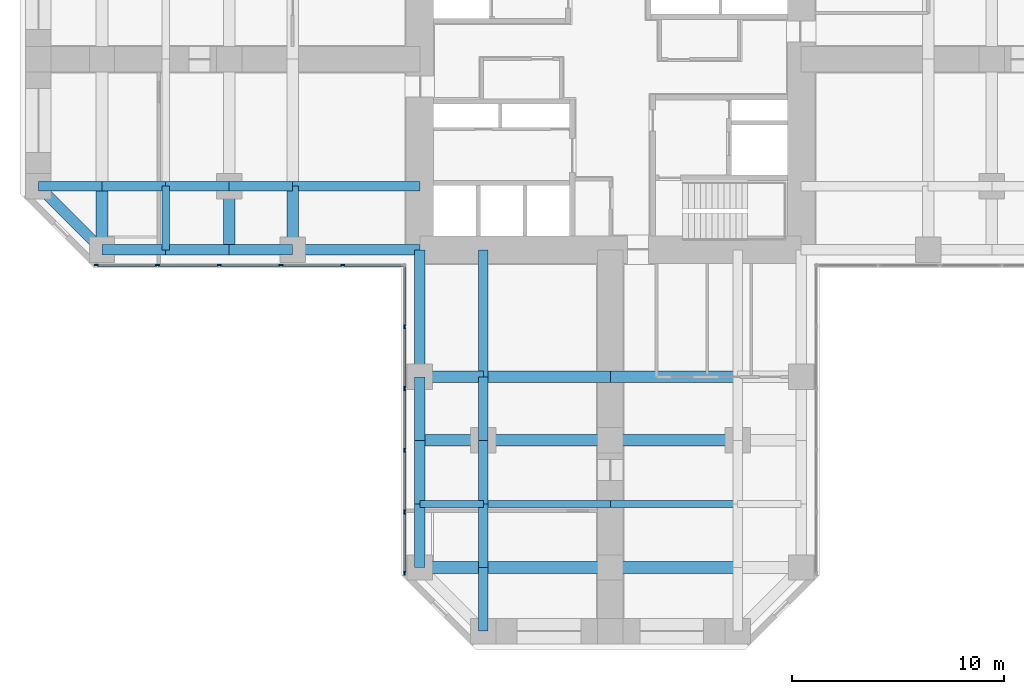
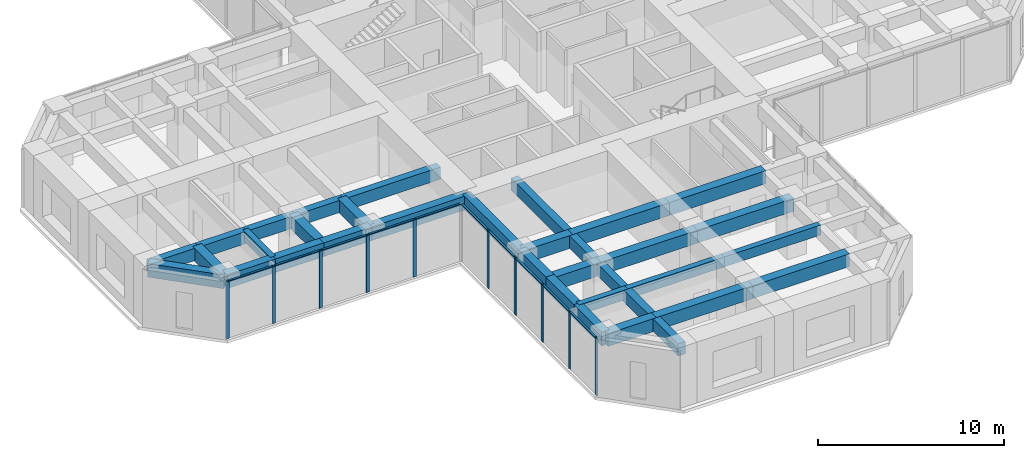
# One storey, part 2 of 12: 35 beams, 20 members, 2 elements without a shape of their own.
"""IFC4 building model written with IfcOpenShell, lengths in metres."""

from ifc_helpers import new_model, si_unit, direction, frame, origin, origin_2d, place, context, subcontext, project, spatial, rectangle, extrude, material, material_profile, profile_set, type_object, element, aggregate, save


model = new_model("IFC4")

# Units and contexts
model_context = context("Model", 3, precision=1e-05, world=origin(), true_north=direction((0.0, 1.0)))
body_context = subcontext(model_context, "Body", "Model", "MODEL_VIEW")
ifc_project = project(units=[si_unit("LENGTHUNIT", "METRE"), si_unit("AREAUNIT", "SQUARE_METRE"), si_unit("VOLUMEUNIT", "CUBIC_METRE"), si_unit("PLANEANGLEUNIT", "RADIAN"), si_unit("MASSUNIT", "GRAM", prefix="KILO")], contexts=[model_context])

# Site, building, storey
site_placement = place(None, origin())
site = spatial("IfcSite", under=ifc_project, at=site_placement, CompositionType="ELEMENT")
building_placement = place(site_placement, origin())
building = spatial("IfcBuilding", under=site, at=building_placement, Name="Torre Cruceta", CompositionType="ELEMENT")
storey_placement = place(building_placement, frame((0.0, 0.0, 59.5)))
storey = spatial("IfcBuildingStorey", under=building, at=storey_placement, Name="L14", CompositionType="ELEMENT", Elevation=59.5)

# Beams
ifc_material_1 = material(Name="Concrete G60 (fck 60 MPa)", Category="concrete")
ifc_material_profile_1 = material_profile(ifc_material_1, rectangle(XDim=0.449951171875, YDim=0.800048828125, at=origin_2d()), Name="RC 450X800")
ifc_profile_set_1 = profile_set([ifc_material_profile_1], Name="Concrete G60 (fck 60 MPa)")
beam_type_1 = type_object("IfcBeamType", Name="COLUMN LINE BEAM RC 450X800", PredefinedType="BEAM", material=ifc_profile_set_1)
beam_1_placement = place(storey_placement, frame((-6.0, -9.0, 3.39990234375), z_axis=(0.0, -1.0, 0.0), x_axis=(1.0, 0.0, 0.0)))
element("IfcBeam", 1, at=beam_1_placement, inside=storey, type_object=beam_type_1, Name="LB1 L14 S col- 1", PredefinedType="BEAM", context=body_context, shape_type="SweptSolid", body=[
    extrude(rectangle(XDim=0.449951171875, YDim=0.800048828125, at=origin_2d()), origin(), (0.0, 0.0, 1.0), 6.0),
])
for number, where, z_axis, x_axis, name in (
    (2, (-6.0, -15.0, 3.39990234375), (0.0, -1.0, 0.0), (1.0, 0.0, 0.0), "LB1 L14 S col- 2"),
    (3, (-6.0, -18.0, 3.39990234375), (0.0, -1.0, 0.0), (1.0, 0.0, 0.0), "LB1 L14 S col- 3"),
    (4, (-6.0, -21.0, 3.39990234375), (0.0, -1.0, 0.0), (1.0, 0.0, 0.0), "LB1 L14 S col- 4"),
    (5, (-6.0, -24.0, 3.39990234375), (0.0, -1.0, 0.0), (1.0, 0.0, 0.0), "LB1 L14 S col- 5"),
):
    element("IfcBeam", number, at=place(storey_placement, frame(where, z_axis=z_axis, x_axis=x_axis)), inside=storey, type_object=beam_type_1, Name=name, PredefinedType="BEAM", context=body_context, shape_type="SweptSolid", body=[
        extrude(rectangle(XDim=0.449951171875, YDim=0.800048828125, at=origin_2d()), origin(), (0.0, 0.0, 1.0), 3.0),
    ])
beam_2_placement = place(storey_placement, frame((-9.0, -6.0, 3.39990234375), z_axis=(-1.0, 0.0, 0.0), x_axis=(0.0, -1.0, 0.0)))
element("IfcBeam", 6, at=beam_2_placement, inside=storey, type_object=beam_type_1, Name="LB1 L14 W col+ 1", PredefinedType="BEAM", context=body_context, shape_type="SweptSolid", body=[
    extrude(rectangle(XDim=0.449951171875, YDim=0.800048828125, at=origin_2d()), origin(), (0.0, 0.0, 1.0), 6.0),
])
for number, where, z_axis, x_axis, name in (
    (7, (-15.0, -6.0, 3.39990234375), (-1.0, 0.0, 0.0), (0.0, -1.0, 0.0), "LB1 L14 W col+ 2"),
    (8, (-18.0, -6.0, 3.39990234375), (-1.0, 0.0, 0.0), (0.0, -1.0, 0.0), "LB1 L14 W col+ 3"),
    (9, (-21.0, -6.0, 3.39990234375), (-1.0, 0.0, 0.0), (0.0, -1.0, 0.0), "LB1 L14 W col+ 4"),
    (10, (-24.0, -6.0, 3.39990234375), (-1.0, 0.0, 0.0), (0.0, -1.0, 0.0), "LB1 L14 W col+ 5"),
):
    element("IfcBeam", number, at=place(storey_placement, frame(where, z_axis=z_axis, x_axis=x_axis)), inside=storey, type_object=beam_type_1, Name=name, PredefinedType="BEAM", context=body_context, shape_type="SweptSolid", body=[
        extrude(rectangle(XDim=0.449951171875, YDim=0.800048828125, at=origin_2d()), origin(), (0.0, 0.0, 1.0), 3.0),
    ])
ifc_material_2 = material(Name="Concrete G60 (fck 60 MPa)", Category="concrete")
ifc_material_profile_2 = material_profile(ifc_material_2, rectangle(XDim=0.550048828125, YDim=0.85009765625, at=origin_2d()), Name="RC 550X850")
ifc_profile_set_2 = profile_set([ifc_material_profile_2], Name="Concrete G60 (fck 60 MPa)")
beam_type_2 = type_object("IfcBeamType", Name="CROSS BEAM RC 550X850", PredefinedType="BEAM", material=ifc_profile_set_2)
beam_3_placement = place(storey_placement, frame((-9.0, -15.0, 3.375), z_axis=(1.0, 0.0, 0.0), x_axis=(0.0, 1.0, 0.0)))
element("IfcBeam", 11, at=beam_3_placement, inside=storey, type_object=beam_type_2, Name="GB4 L14 S cross15 1", PredefinedType="BEAM", context=body_context, shape_type="SweptSolid", body=[
    extrude(rectangle(XDim=0.550048828125, YDim=0.85009765625, at=origin_2d()), origin(), (0.0, 0.0, 1.0), 3.0),
])
for number, where, z_axis, x_axis, name in (
    (12, (-6.0, -15.0, 3.375), (1.0, 0.0, 0.0), (0.0, 1.0, 0.0), "GB4 L14 S cross15 2"),
    (13, (0.0, -15.0, 3.375), (1.0, 0.0, 0.0), (0.0, 1.0, 0.0), "GB4 L14 S cross15 3"),
):
    element("IfcBeam", number, at=place(storey_placement, frame(where, z_axis=z_axis, x_axis=x_axis)), inside=storey, type_object=beam_type_2, Name=name, PredefinedType="BEAM", context=body_context, shape_type="SweptSolid", body=[
        extrude(rectangle(XDim=0.550048828125, YDim=0.85009765625, at=origin_2d()), origin(), (0.0, 0.0, 1.0), 6.0),
    ])
beam_4_placement = place(storey_placement, frame((-9.0, -18.0, 3.375), z_axis=(1.0, 0.0, 0.0), x_axis=(0.0, 1.0, 0.0)))
element("IfcBeam", 14, at=beam_4_placement, inside=storey, type_object=beam_type_2, Name="GB4 L14 S cross18 1", PredefinedType="BEAM", context=body_context, shape_type="SweptSolid", body=[
    extrude(rectangle(XDim=0.550048828125, YDim=0.85009765625, at=origin_2d()), origin(), (0.0, 0.0, 1.0), 3.0),
])
for number, where, z_axis, x_axis, name in (
    (15, (-6.0, -18.0, 3.375), (1.0, 0.0, 0.0), (0.0, 1.0, 0.0), "GB4 L14 S cross18 2"),
    (16, (0.0, -18.0, 3.375), (1.0, 0.0, 0.0), (0.0, 1.0, 0.0), "GB4 L14 S cross18 3"),
):
    element("IfcBeam", number, at=place(storey_placement, frame(where, z_axis=z_axis, x_axis=x_axis)), inside=storey, type_object=beam_type_2, Name=name, PredefinedType="BEAM", context=body_context, shape_type="SweptSolid", body=[
        extrude(rectangle(XDim=0.550048828125, YDim=0.85009765625, at=origin_2d()), origin(), (0.0, 0.0, 1.0), 6.0),
    ])
beam_5_placement = place(storey_placement, frame((-9.0, -24.0, 3.375), z_axis=(1.0, 0.0, 0.0), x_axis=(0.0, 1.0, 0.0)))
element("IfcBeam", 17, at=beam_5_placement, inside=storey, type_object=beam_type_2, Name="GB4 L14 S cross24 1", PredefinedType="BEAM", context=body_context, shape_type="SweptSolid", body=[
    extrude(rectangle(XDim=0.550048828125, YDim=0.85009765625, at=origin_2d()), origin(), (0.0, 0.0, 1.0), 3.0),
])
for number, where, z_axis, x_axis, name in (
    (18, (-6.0, -24.0, 3.375), (1.0, 0.0, 0.0), (0.0, 1.0, 0.0), "GB4 L14 S cross24 2"),
    (19, (0.0, -24.0, 3.375), (1.0, 0.0, 0.0), (0.0, 1.0, 0.0), "GB4 L14 S cross24 3"),
):
    element("IfcBeam", number, at=place(storey_placement, frame(where, z_axis=z_axis, x_axis=x_axis)), inside=storey, type_object=beam_type_2, Name=name, PredefinedType="BEAM", context=body_context, shape_type="SweptSolid", body=[
        extrude(rectangle(XDim=0.550048828125, YDim=0.85009765625, at=origin_2d()), origin(), (0.0, 0.0, 1.0), 6.0),
    ])
for number, where, z_axis, x_axis, name in (
    (20, (-15.0, -6.0, 3.375), (0.0, -1.0, 0.0), (1.0, 0.0, 0.0), "GB4 L14 W cross15 4"),
    (21, (-18.0, -6.0, 3.375), (0.0, -1.0, 0.0), (1.0, 0.0, 0.0), "GB4 L14 W cross18 4"),
    (22, (-24.0, -6.0, 3.375), (0.0, -1.0, 0.0), (1.0, 0.0, 0.0), "GB4 L14 W cross24 4"),
):
    element("IfcBeam", number, at=place(storey_placement, frame(where, z_axis=z_axis, x_axis=x_axis)), inside=storey, type_object=beam_type_2, Name=name, PredefinedType="BEAM", context=body_context, shape_type="SweptSolid", body=[
        extrude(rectangle(XDim=0.550048828125, YDim=0.85009765625, at=origin_2d()), origin(), (0.0, 0.0, 1.0), 3.0),
    ])

# Curtain wall, members
ifc_material_3 = material(Name="Aluminium unitised curtain wall", Category="aluminium")
curtain_wall_type = type_object("IfcCurtainWallType", Name="CURTAIN WALL CW-A OFFICE LOW RISE", PredefinedType="USERDEFINED", material=ifc_material_3)
curtain_wall_1_placement = place(storey_placement, origin())
curtain_wall_1 = element("IfcCurtainWall", 23, at=curtain_wall_1_placement, inside=storey, type_object=curtain_wall_type, Name="CW-A L14 W side 14", ObjectType="UNITISED", PredefinedType="USERDEFINED")
ifc_material_4 = material(Name="Aluminium mullion", Category="aluminium")
ifc_material_profile_3 = material_profile(ifc_material_4, rectangle(XDim=0.06494140625, YDim=0.199951171875, at=origin_2d()), Name="AL 65X200")
ifc_profile_set_3 = profile_set([ifc_material_profile_3], Name="Aluminium mullion")
member_type_1 = type_object("IfcMemberType", Name="CW-A MULLION 65X200", PredefinedType="MULLION", material=ifc_profile_set_3)
member_1_placement = place(storey_placement, frame((-24.265625, -9.719970703125, 0.0), z_axis=(0.0, 0.0, 1.0), x_axis=(0.0, 1.0, 0.0)))
member_1 = element("IfcMember", 24, at=member_1_placement, type_object=member_type_1, Name="CW-A mullion 1", PredefinedType="MULLION", context=body_context, shape_type="SweptSolid", body=[
    extrude(rectangle(XDim=0.06494140625, YDim=0.199951171875, at=origin_2d()), origin(), (0.0, 0.0, 1.0), 3.800048828125),
])
member_2_placement = place(storey_placement, frame((-21.382568359375, -9.719970703125, 0.0), z_axis=(0.0, 0.0, 1.0), x_axis=(0.0, 1.0, 0.0)))
member_2 = element("IfcMember", 25, at=member_2_placement, type_object=member_type_1, Name="CW-A mullion 2", PredefinedType="MULLION", context=body_context, shape_type="SweptSolid", body=[
    extrude(rectangle(XDim=0.06494140625, YDim=0.199951171875, at=origin_2d()), origin(), (0.0, 0.0, 1.0), 3.800048828125),
])
member_3_placement = place(storey_placement, frame((-18.467041015625, -9.719970703125, 0.0), z_axis=(0.0, 0.0, 1.0), x_axis=(0.0, 1.0, 0.0)))
member_3 = element("IfcMember", 26, at=member_3_placement, type_object=member_type_1, Name="CW-A mullion 3", PredefinedType="MULLION", context=body_context, shape_type="SweptSolid", body=[
    extrude(rectangle(XDim=0.06494140625, YDim=0.199951171875, at=origin_2d()), origin(), (0.0, 0.0, 1.0), 3.800048828125),
])
member_4_placement = place(storey_placement, frame((-15.55126953125, -9.719970703125, 0.0), z_axis=(0.0, 0.0, 1.0), x_axis=(0.0, 1.0, 0.0)))
member_4 = element("IfcMember", 27, at=member_4_placement, type_object=member_type_1, Name="CW-A mullion 4", PredefinedType="MULLION", context=body_context, shape_type="SweptSolid", body=[
    extrude(rectangle(XDim=0.06494140625, YDim=0.199951171875, at=origin_2d()), origin(), (0.0, 0.0, 1.0), 3.800048828125),
])
member_5_placement = place(storey_placement, frame((-12.6357421875, -9.719970703125, 0.0), z_axis=(0.0, 0.0, 1.0), x_axis=(0.0, 1.0, 0.0)))
member_5 = element("IfcMember", 28, at=member_5_placement, type_object=member_type_1, Name="CW-A mullion 5", PredefinedType="MULLION", context=body_context, shape_type="SweptSolid", body=[
    extrude(rectangle(XDim=0.06494140625, YDim=0.199951171875, at=origin_2d()), origin(), (0.0, 0.0, 1.0), 3.800048828125),
])

curtain_wall_2_placement = place(storey_placement, origin())
curtain_wall_2 = element("IfcCurtainWall", 29, at=curtain_wall_2_placement, inside=storey, type_object=curtain_wall_type, Name="CW-A L14 S side 15", ObjectType="UNITISED", PredefinedType="USERDEFINED")
member_6_placement = place(storey_placement, frame((-9.719970703125, -12.6357421875, 0.0), z_axis=(0.0, 0.0, 1.0), x_axis=(1.0, 0.0, 0.0)))
member_6 = element("IfcMember", 30, at=member_6_placement, type_object=member_type_1, Name="CW-A mullion 2", PredefinedType="MULLION", context=body_context, shape_type="SweptSolid", body=[
    extrude(rectangle(XDim=0.06494140625, YDim=0.199951171875, at=origin_2d()), origin(), (0.0, 0.0, 1.0), 3.800048828125),
])
member_7_placement = place(storey_placement, frame((-9.719970703125, -15.55126953125, 0.0), z_axis=(0.0, 0.0, 1.0), x_axis=(1.0, 0.0, 0.0)))
member_7 = element("IfcMember", 31, at=member_7_placement, type_object=member_type_1, Name="CW-A mullion 3", PredefinedType="MULLION", context=body_context, shape_type="SweptSolid", body=[
    extrude(rectangle(XDim=0.06494140625, YDim=0.199951171875, at=origin_2d()), origin(), (0.0, 0.0, 1.0), 3.800048828125),
])
member_8_placement = place(storey_placement, frame((-9.719970703125, -18.467041015625, 0.0), z_axis=(0.0, 0.0, 1.0), x_axis=(1.0, 0.0, 0.0)))
member_8 = element("IfcMember", 32, at=member_8_placement, type_object=member_type_1, Name="CW-A mullion 4", PredefinedType="MULLION", context=body_context, shape_type="SweptSolid", body=[
    extrude(rectangle(XDim=0.06494140625, YDim=0.199951171875, at=origin_2d()), origin(), (0.0, 0.0, 1.0), 3.800048828125),
])
member_9_placement = place(storey_placement, frame((-9.719970703125, -21.382568359375, 0.0), z_axis=(0.0, 0.0, 1.0), x_axis=(1.0, 0.0, 0.0)))
member_9 = element("IfcMember", 33, at=member_9_placement, type_object=member_type_1, Name="CW-A mullion 5", PredefinedType="MULLION", context=body_context, shape_type="SweptSolid", body=[
    extrude(rectangle(XDim=0.06494140625, YDim=0.199951171875, at=origin_2d()), origin(), (0.0, 0.0, 1.0), 3.800048828125),
])
member_10_placement = place(storey_placement, frame((-9.719970703125, -24.265625, 0.0), z_axis=(0.0, 0.0, 1.0), x_axis=(1.0, 0.0, 0.0)))
member_10 = element("IfcMember", 34, at=member_10_placement, type_object=member_type_1, Name="CW-A mullion 6", PredefinedType="MULLION", context=body_context, shape_type="SweptSolid", body=[
    extrude(rectangle(XDim=0.06494140625, YDim=0.199951171875, at=origin_2d()), origin(), (0.0, 0.0, 1.0), 3.800048828125),
])

# Member
ifc_material_5 = material(Name="Aluminium transom", Category="aluminium")
ifc_material_profile_4 = material_profile(ifc_material_5, rectangle(XDim=0.1201171875, YDim=0.06494140625, at=origin_2d()), Name="AL 120X65")
ifc_profile_set_4 = profile_set([ifc_material_profile_4], Name="Aluminium transom")
member_type_2 = type_object("IfcMemberType", Name="CW-A TRANSOM 65X120", PredefinedType="USERDEFINED", material=ifc_profile_set_4)
member_11_placement = place(storey_placement, frame((-24.233154296875, -9.719970703125, 3.767578125), z_axis=(1.0, 0.0, 0.0), x_axis=(0.0, 1.0, 0.0)))
member_11 = element("IfcMember", 35, at=member_11_placement, type_object=member_type_2, Name="CW-A transom 1", ObjectType="TRANSOM", PredefinedType="USERDEFINED", context=body_context, shape_type="SweptSolid", body=[
    extrude(rectangle(XDim=0.1201171875, YDim=0.06494140625, at=origin_2d()), origin(), (0.0, 0.0, 1.0), 2.818115234375),
])

member_12_placement = place(storey_placement, frame((-21.35009765625, -9.719970703125, 3.767578125), z_axis=(1.0, 0.0, 0.0), x_axis=(0.0, 1.0, 0.0)))
member_12 = element("IfcMember", 36, at=member_12_placement, type_object=member_type_2, Name="CW-A transom 2", ObjectType="TRANSOM", PredefinedType="USERDEFINED", context=body_context, shape_type="SweptSolid", body=[
    extrude(rectangle(XDim=0.1201171875, YDim=0.06494140625, at=origin_2d()), origin(), (0.0, 0.0, 1.0), 2.8505859375),
])

member_13_placement = place(storey_placement, frame((-18.434326171875, -9.719970703125, 3.767578125), z_axis=(1.0, 0.0, 0.0), x_axis=(0.0, 1.0, 0.0)))
member_13 = element("IfcMember", 37, at=member_13_placement, type_object=member_type_2, Name="CW-A transom 3", ObjectType="TRANSOM", PredefinedType="USERDEFINED", context=body_context, shape_type="SweptSolid", body=[
    extrude(rectangle(XDim=0.1201171875, YDim=0.06494140625, at=origin_2d()), origin(), (0.0, 0.0, 1.0), 2.8505859375),
])

member_14_placement = place(storey_placement, frame((-15.518798828125, -9.719970703125, 3.767578125), z_axis=(1.0, 0.0, 0.0), x_axis=(0.0, 1.0, 0.0)))
member_14 = element("IfcMember", 38, at=member_14_placement, type_object=member_type_2, Name="CW-A transom 4", ObjectType="TRANSOM", PredefinedType="USERDEFINED", context=body_context, shape_type="SweptSolid", body=[
    extrude(rectangle(XDim=0.1201171875, YDim=0.06494140625, at=origin_2d()), origin(), (0.0, 0.0, 1.0), 2.8505859375),
])

member_15_placement = place(storey_placement, frame((-12.60302734375, -9.719970703125, 3.767578125), z_axis=(1.0, 0.0, 0.0), x_axis=(0.0, 1.0, 0.0)))
member_15 = element("IfcMember", 39, at=member_15_placement, type_object=member_type_2, Name="CW-A transom 5", ObjectType="TRANSOM", PredefinedType="USERDEFINED", context=body_context, shape_type="SweptSolid", body=[
    extrude(rectangle(XDim=0.1201171875, YDim=0.06494140625, at=origin_2d()), origin(), (0.0, 0.0, 1.0), 2.818115234375),
])

aggregate(curtain_wall_1, [member_1, member_2, member_3, member_4, member_5, member_11, member_12, member_13, member_14, member_15])

member_16_placement = place(storey_placement, frame((-9.719970703125, -9.784912109375, 3.767578125), z_axis=(0.0, -1.0, 0.0), x_axis=(1.0, 0.0, 0.0)))
member_16 = element("IfcMember", 40, at=member_16_placement, type_object=member_type_2, Name="CW-A transom 1", ObjectType="TRANSOM", PredefinedType="USERDEFINED", context=body_context, shape_type="SweptSolid", body=[
    extrude(rectangle(XDim=0.1201171875, YDim=0.06494140625, at=origin_2d()), origin(), (0.0, 0.0, 1.0), 2.818115234375),
])

member_17_placement = place(storey_placement, frame((-9.719970703125, -12.668212890625, 3.767578125), z_axis=(0.0, -1.0, 0.0), x_axis=(1.0, 0.0, 0.0)))
member_17 = element("IfcMember", 41, at=member_17_placement, type_object=member_type_2, Name="CW-A transom 2", ObjectType="TRANSOM", PredefinedType="USERDEFINED", context=body_context, shape_type="SweptSolid", body=[
    extrude(rectangle(XDim=0.1201171875, YDim=0.06494140625, at=origin_2d()), origin(), (0.0, 0.0, 1.0), 2.8505859375),
])

member_18_placement = place(storey_placement, frame((-9.719970703125, -15.583740234375, 3.767578125), z_axis=(0.0, -1.0, 0.0), x_axis=(1.0, 0.0, 0.0)))
member_18 = element("IfcMember", 42, at=member_18_placement, type_object=member_type_2, Name="CW-A transom 3", ObjectType="TRANSOM", PredefinedType="USERDEFINED", context=body_context, shape_type="SweptSolid", body=[
    extrude(rectangle(XDim=0.1201171875, YDim=0.06494140625, at=origin_2d()), origin(), (0.0, 0.0, 1.0), 2.8505859375),
])

member_19_placement = place(storey_placement, frame((-9.719970703125, -18.49951171875, 3.767578125), z_axis=(0.0, -1.0, 0.0), x_axis=(1.0, 0.0, 0.0)))
member_19 = element("IfcMember", 43, at=member_19_placement, type_object=member_type_2, Name="CW-A transom 4", ObjectType="TRANSOM", PredefinedType="USERDEFINED", context=body_context, shape_type="SweptSolid", body=[
    extrude(rectangle(XDim=0.1201171875, YDim=0.06494140625, at=origin_2d()), origin(), (0.0, 0.0, 1.0), 2.8505859375),
])

member_20_placement = place(storey_placement, frame((-9.719970703125, -21.4150390625, 3.767578125), z_axis=(0.0, -1.0, 0.0), x_axis=(1.0, 0.0, 0.0)))
member_20 = element("IfcMember", 44, at=member_20_placement, type_object=member_type_2, Name="CW-A transom 5", ObjectType="TRANSOM", PredefinedType="USERDEFINED", context=body_context, shape_type="SweptSolid", body=[
    extrude(rectangle(XDim=0.1201171875, YDim=0.06494140625, at=origin_2d()), origin(), (0.0, 0.0, 1.0), 2.818115234375),
])

aggregate(curtain_wall_2, [member_6, member_7, member_8, member_9, member_10, member_16, member_17, member_18, member_19, member_20])

# Beams
ifc_material_6 = material(Name="Concrete G60 (fck 60 MPa)", Category="concrete")
ifc_material_profile_5 = material_profile(ifc_material_6, rectangle(XDim=0.35009765625, YDim=0.64990234375, at=origin_2d()), Name="RC 350X650")
ifc_profile_set_5 = profile_set([ifc_material_profile_5], Name="Concrete G60 (fck 60 MPa)")
beam_type_3 = type_object("IfcBeamType", Name="SECONDARY BEAM RC 350X650", PredefinedType="JOIST", material=ifc_profile_set_5)
beam_6_placement = place(storey_placement, frame((-9.0, -21.0, 3.47509765625), z_axis=(1.0, 0.0, 0.0), x_axis=(0.0, 1.0, 0.0)))
element("IfcBeam", 45, at=beam_6_placement, inside=storey, type_object=beam_type_3, Name="JB3 L14 S sec21 1", PredefinedType="JOIST", context=body_context, shape_type="SweptSolid", body=[
    extrude(rectangle(XDim=0.35009765625, YDim=0.64990234375, at=origin_2d()), origin(), (0.0, 0.0, 1.0), 3.0),
])
for number, where, z_axis, x_axis, name in (
    (46, (-6.0, -21.0, 3.47509765625), (1.0, 0.0, 0.0), (0.0, 1.0, 0.0), "JB3 L14 S sec21 2"),
    (47, (0.0, -21.0, 3.47509765625), (1.0, 0.0, 0.0), (0.0, 1.0, 0.0), "JB3 L14 S sec21 3"),
):
    element("IfcBeam", number, at=place(storey_placement, frame(where, z_axis=z_axis, x_axis=x_axis)), inside=storey, type_object=beam_type_3, Name=name, PredefinedType="JOIST", context=body_context, shape_type="SweptSolid", body=[
        extrude(rectangle(XDim=0.35009765625, YDim=0.64990234375, at=origin_2d()), origin(), (0.0, 0.0, 1.0), 6.0),
    ])
beam_7_placement = place(storey_placement, frame((-21.0, -6.0, 3.47509765625), z_axis=(0.0, -1.0, 0.0), x_axis=(1.0, 0.0, 0.0)))
element("IfcBeam", 48, at=beam_7_placement, inside=storey, type_object=beam_type_3, Name="JB3 L14 W sec21 4", PredefinedType="JOIST", context=body_context, shape_type="SweptSolid", body=[
    extrude(rectangle(XDim=0.35009765625, YDim=0.64990234375, at=origin_2d()), origin(), (0.0, 0.0, 1.0), 3.0),
])
ifc_material_7 = material(Name="Concrete G60 (fck 60 MPa)", Category="concrete")
ifc_material_profile_6 = material_profile(ifc_material_7, rectangle(XDim=0.5, YDim=0.89990234375, at=origin_2d()), Name="RC 500X900")
ifc_profile_set_6 = profile_set([ifc_material_profile_6], Name="Concrete G60 (fck 60 MPa)")
beam_type_4 = type_object("IfcBeamType", Name="SPANDREL BEAM RC 500X900", PredefinedType="SPANDREL", material=ifc_profile_set_6)
beam_8_placement = place(storey_placement, frame((-9.0, -9.0, 3.35009765625), z_axis=(0.0, -1.0, 0.0), x_axis=(1.0, 0.0, 0.0)))
element("IfcBeam", 49, at=beam_8_placement, inside=storey, type_object=beam_type_4, Name="SB4 L14 S side- 1", PredefinedType="SPANDREL", context=body_context, shape_type="SweptSolid", body=[
    extrude(rectangle(XDim=0.5, YDim=0.89990234375, at=origin_2d()), origin(), (0.0, 0.0, 1.0), 6.0),
])
for number, where, z_axis, x_axis, name in (
    (50, (-9.0, -15.0, 3.35009765625), (0.0, -1.0, 0.0), (1.0, 0.0, 0.0), "SB4 L14 S side- 2"),
    (51, (-9.0, -18.0, 3.35009765625), (0.0, -1.0, 0.0), (1.0, 0.0, 0.0), "SB4 L14 S side- 3"),
    (52, (-9.0, -21.0, 3.35009765625), (0.0, -1.0, 0.0), (1.0, 0.0, 0.0), "SB4 L14 S side- 4"),
):
    element("IfcBeam", number, at=place(storey_placement, frame(where, z_axis=z_axis, x_axis=x_axis)), inside=storey, type_object=beam_type_4, Name=name, PredefinedType="SPANDREL", context=body_context, shape_type="SweptSolid", body=[
        extrude(rectangle(XDim=0.5, YDim=0.89990234375, at=origin_2d()), origin(), (0.0, 0.0, 1.0), 3.0),
    ])
beam_9_placement = place(storey_placement, frame((-9.0, -9.0, 3.35009765625), z_axis=(-1.0, 0.0, 0.0), x_axis=(0.0, -1.0, 0.0)))
element("IfcBeam", 53, at=beam_9_placement, inside=storey, type_object=beam_type_4, Name="SB4 L14 W side+ 1", PredefinedType="SPANDREL", context=body_context, shape_type="SweptSolid", body=[
    extrude(rectangle(XDim=0.5, YDim=0.89990234375, at=origin_2d()), origin(), (0.0, 0.0, 1.0), 6.0),
])
for number, where, z_axis, x_axis, name in (
    (54, (-15.0, -9.0, 3.35009765625), (-1.0, 0.0, 0.0), (0.0, -1.0, 0.0), "SB4 L14 W side+ 2"),
    (55, (-18.0, -9.0, 3.35009765625), (-1.0, 0.0, 0.0), (0.0, -1.0, 0.0), "SB4 L14 W side+ 3"),
    (56, (-21.0, -9.0, 3.35009765625), (-1.0, 0.0, 0.0), (0.0, -1.0, 0.0), "SB4 L14 W side+ 4"),
):
    element("IfcBeam", number, at=place(storey_placement, frame(where, z_axis=z_axis, x_axis=x_axis)), inside=storey, type_object=beam_type_4, Name=name, PredefinedType="SPANDREL", context=body_context, shape_type="SweptSolid", body=[
        extrude(rectangle(XDim=0.5, YDim=0.89990234375, at=origin_2d()), origin(), (0.0, 0.0, 1.0), 3.0),
    ])
beam_10_placement = place(storey_placement, frame((-24.0, -9.0, 3.35009765625), z_axis=(-0.707106781187, 0.707106781187, 0.0), x_axis=(-0.707106781187, -0.707106781187, 0.0)))
element("IfcBeam", 57, at=beam_10_placement, inside=storey, type_object=beam_type_4, Name="SB4 L14 W side+ 5", PredefinedType="SPANDREL", context=body_context, shape_type="SweptSolid", body=[
    extrude(rectangle(XDim=0.5, YDim=0.89990234375, at=origin_2d()), origin(), (0.0, 0.0, 1.0), 4.24267578125),
])

save(model, "model.ifc")
